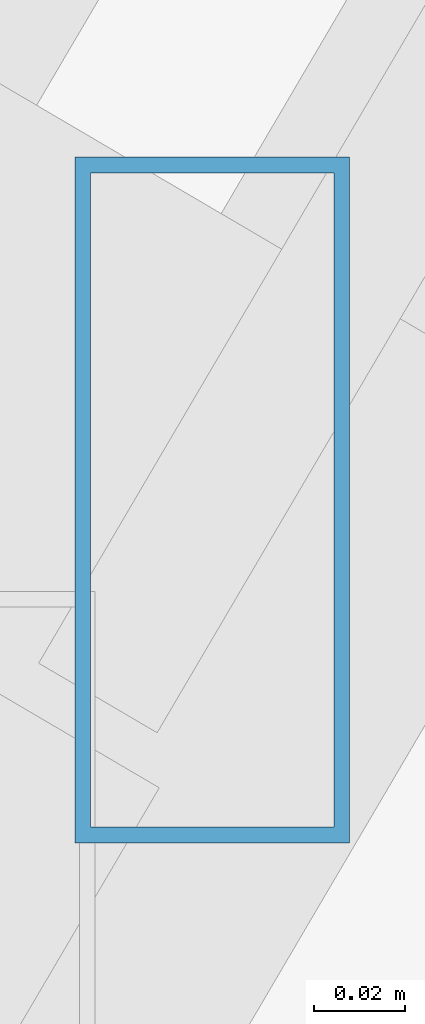
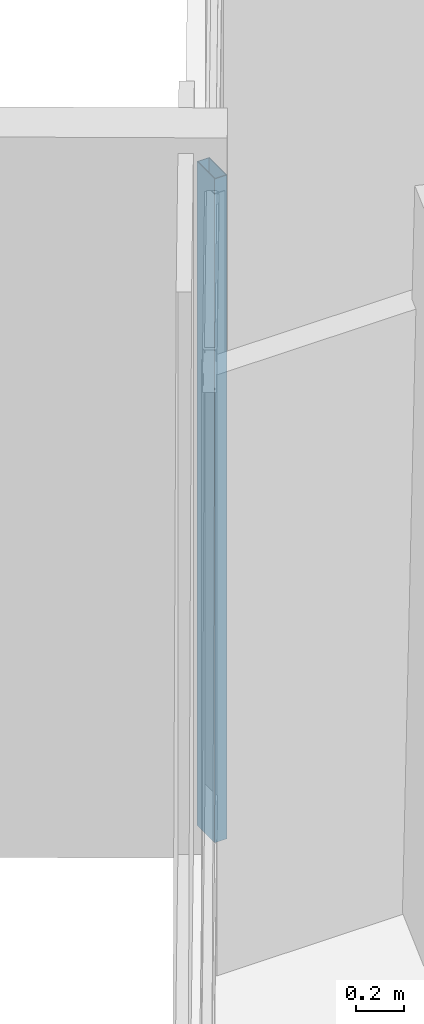
# One storey, part 16 of 42: 1 member, 1 element without a shape of its own.
"""IFC4 building model written with IfcOpenShell, lengths in metres."""

from ifc_helpers import new_model, si_unit, direction, frame, origin, origin_2d, place, context, subcontext, project, spatial, hollow_rectangle, extrude, source, transform, mapped, material, material_profile, profile_set, type_object, type_shapes, element, aggregate, save


model = new_model("IFC4")

# Units and contexts
model_context = context("Model", 3, precision=1e-05, world=origin(), true_north=direction((0.0, 1.0)))
body_context = subcontext(model_context, "Body", "Model", "MODEL_VIEW")
ifc_project = project(units=[si_unit("LENGTHUNIT", "METRE"), si_unit("AREAUNIT", "SQUARE_METRE"), si_unit("VOLUMEUNIT", "CUBIC_METRE"), si_unit("PLANEANGLEUNIT", "RADIAN"), si_unit("MASSUNIT", "GRAM", prefix="KILO")], contexts=[model_context])

# Site, building, storey
site_placement = place(None, origin())
site = spatial("IfcSite", under=ifc_project, at=site_placement, CompositionType="ELEMENT")
building_placement = place(site_placement, origin())
building = spatial("IfcBuilding", under=site, at=building_placement, Name="Caelisora Broadcast Tower", CompositionType="ELEMENT")
storey_placement = place(building_placement, frame((0.0, 0.0, 202.300048828125)))
storey = spatial("IfcBuildingStorey", under=building, at=storey_placement, Name="L53", CompositionType="ELEMENT", Elevation=202.300048828125)

# Curtain wall, member
ifc_material_1 = material(Name="Unitised Aluminium and Low-E Glass Curtain Wall", Category="glass")
curtain_wall_type = type_object("IfcCurtainWallType", Name="CW-Z4", PredefinedType="NOTDEFINED", material=ifc_material_1)
curtain_wall_placement = place(storey_placement, origin())
curtain_wall = element("IfcCurtainWall", 1, at=curtain_wall_placement, inside=storey, type_object=curtain_wall_type, Name="L53 curtain wall CW-Z4", PredefinedType="NOTDEFINED")
ifc_material_2 = material(Name="Aluminium 6063-T6 Anodised Terracotta Bronze", Category="aluminium")
ifc_material_profile = material_profile(ifc_material_2, hollow_rectangle(XDim=0.06005859375, YDim=0.14990234375, WallThickness=0.00341796875, at=origin_2d()), Name="Aluminium 6063-T6 Anodised Terracotta Bronze")
ifc_profile_set = profile_set([ifc_material_profile], Name="Aluminium 6063-T6 Anodised Terracotta Bronze")
member_type = type_object("IfcMemberType", Name="CWM-03", PredefinedType="MULLION", material=ifc_profile_set)
shared_shape = source(origin(), body_context, "Body", "SweptSolid", [
    extrude(hollow_rectangle(XDim=0.06005859375, YDim=0.14990234375, WallThickness=0.00341796875, at=origin_2d()), origin(), (0.0, 0.0, 1.0), 3.39990234375),
])
type_shapes(member_type, [shared_shape])
member_placement = place(storey_placement, frame((26.517822265625, 38.107177734375, 0.0), z_axis=(0.0, 0.0, 1.0), x_axis=(1.0, 0.0, 0.0)))
member = element("IfcMember", 2, at=member_placement, type_object=member_type, Name="L53-CW-B11 mullion #0", PredefinedType="MULLION", context=body_context, shape_type="MappedRepresentation", body=[
    mapped(shared_shape, transform((0.0, 0.0, 0.0), scale=1.0)),
])
aggregate(curtain_wall, [member])

save(model, "model.ifc")
